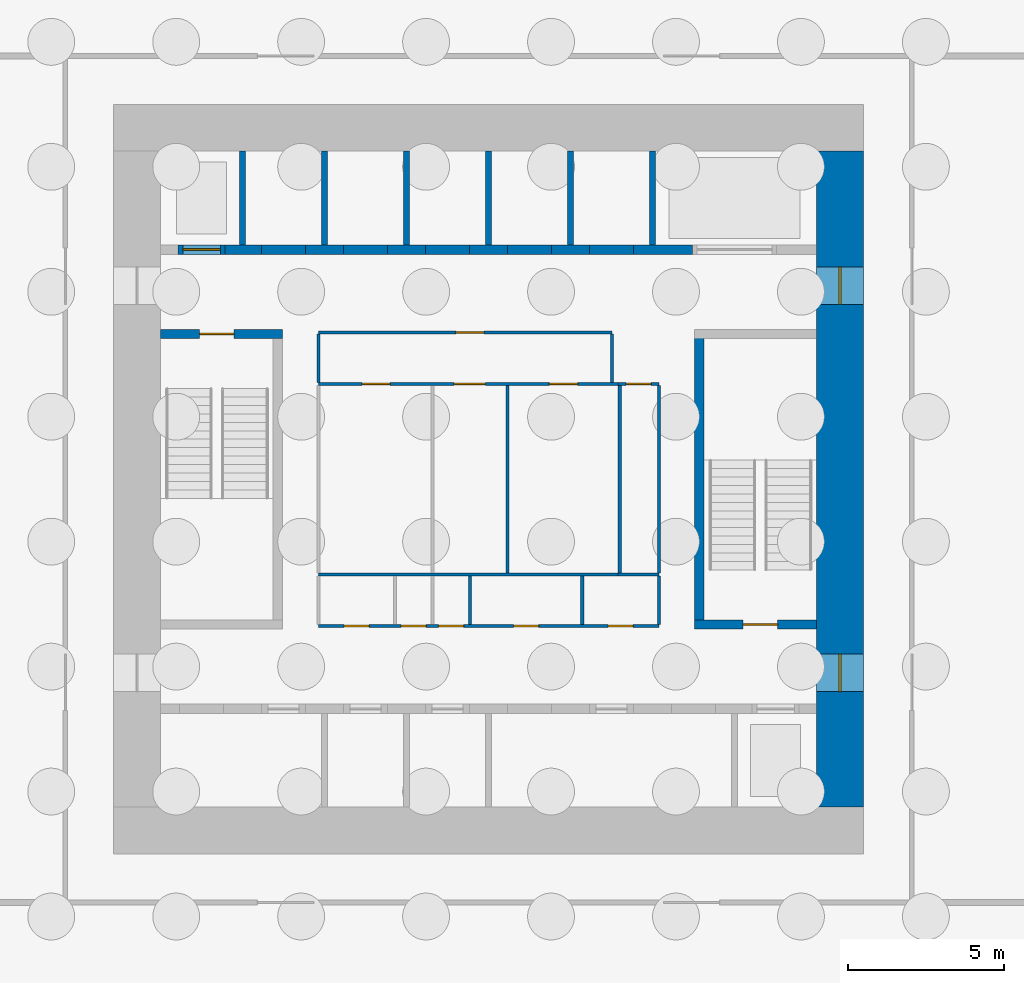
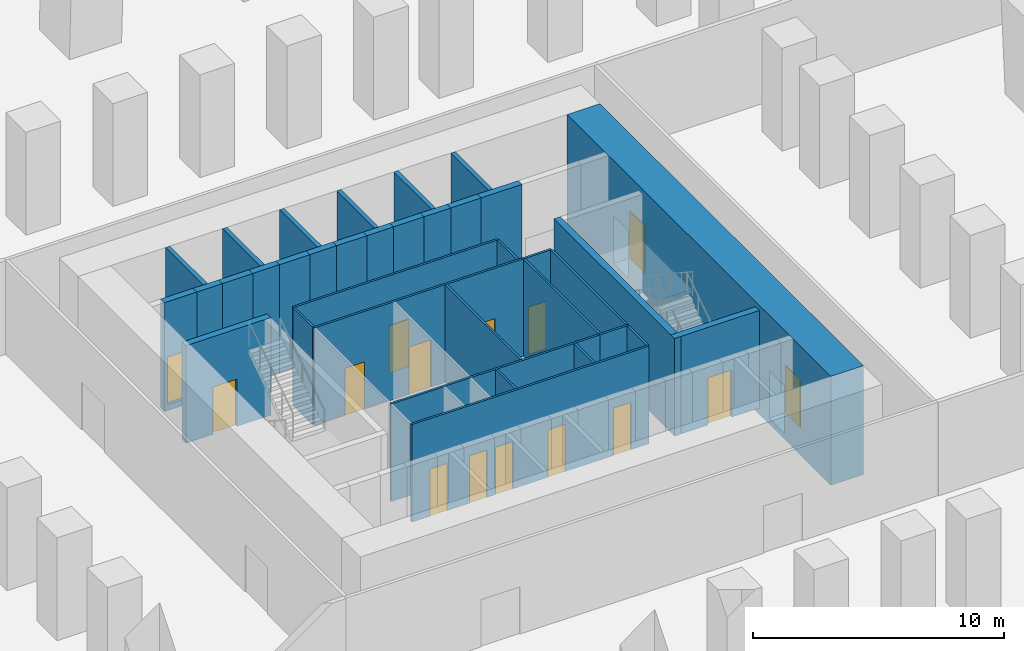
# One storey, part 5 of 8: 36 walls, 15 doors, 15 openings.
"""IFC4 building model written with IfcOpenShell, lengths in metres."""

from ifc_helpers import new_model, si_unit, direction, frame, frame_2d, origin, place, context, subcontext, project, spatial, rectangle, extrude, material, layer, layer_set, type_object, element, fill, save


model = new_model("IFC4")

# Units and contexts
model_context = context("Model", 3, precision=1e-05, world=origin(), true_north=direction((0.0, 1.0)))
body_context = subcontext(model_context, "Body", "Model", "MODEL_VIEW")
ifc_project = project(units=[si_unit("LENGTHUNIT", "METRE"), si_unit("AREAUNIT", "SQUARE_METRE"), si_unit("VOLUMEUNIT", "CUBIC_METRE"), si_unit("PLANEANGLEUNIT", "RADIAN"), si_unit("MASSUNIT", "GRAM", prefix="KILO")], contexts=[model_context])

# Site, building, storey
site_placement = place(None, origin())
site = spatial("IfcSite", under=ifc_project, at=site_placement, CompositionType="ELEMENT")
building_placement = place(site_placement, origin())
building = spatial("IfcBuilding", under=site, at=building_placement, Name="Peilmerk Tower", CompositionType="ELEMENT")
storey_placement = place(building_placement, frame((0.0, 0.0, -5.0)))
storey = spatial("IfcBuildingStorey", under=building, at=storey_placement, Name="B-01", CompositionType="ELEMENT", Elevation=-5.0)

# Wall, opening, door
ifc_material_1 = material(Name="Concrete C35/45", Category="concrete")
ifc_layer_1 = layer(ifc_material_1, 0.300048828125)
ifc_layer_set_1 = layer_set([ifc_layer_1], Name="Concrete C35/45")
wall_type_1 = type_object("IfcWallType", Name="IW3 300 concrete stair enclosure wall, EI 120", PredefinedType="SOLIDWALL", material=ifc_layer_set_1)
wall_1_placement = place(storey_placement, frame((-10.5, 4.64990234375, 0.0), z_axis=(0.0, 0.0, 1.0), x_axis=(1.0, 0.0, 0.0)))
wall_1 = element("IfcWall", 1, at=wall_1_placement, inside=storey, type_object=wall_type_1, Name="Stair 1 enclosure B-01", PredefinedType="SOLIDWALL", context=body_context, shape_type="SweptSolid", body=[
    extrude(rectangle(XDim=3.89990234375, YDim=0.300048828125, at=frame_2d((1.949951171875, 0.0))), origin(), (0.0, 0.0, 1.0), 4.75),
])
opening_1_placement = place(wall_1_placement, frame((1.25, 0.0, 0.0)))
opening_1 = element("IfcOpeningElement", 2, at=opening_1_placement, cuts=wall_1, Name="Opening D4", PredefinedType="OPENING", context=body_context, shape_type="SweptSolid", body=[
    extrude(rectangle(XDim=1.10009765625, YDim=2.300048828125, at=frame_2d((0.550048828125, 1.14990234375))), frame((0.0, 0.159912109375, 0.0), z_axis=(0.0, -1.0, 0.0), x_axis=(1.0, 0.0, 0.0)), (0.0, 0.0, 1.0), 0.320068359375),
])
ifc_material_2 = material(Name="Steel door in steel frame", Category="steel")
door_type_1 = type_object("IfcDoorType", Name="D4 1100x2300 stair door, EI2 60", OperationType="SINGLE_SWING_RIGHT", PredefinedType="DOOR", material=ifc_material_2)
door_1_placement = place(opening_1_placement, frame((1.10009765625, 0.0, 0.0), z_axis=(0.0, 0.0, 1.0), x_axis=(-1.0, 0.0, 0.0)))
door_1 = element("IfcDoor", 3, at=door_1_placement, inside=storey, type_object=door_type_1, Name="Stair 1 door B-01", OperationType="SINGLE_SWING_RIGHT", OverallHeight=2.300048828125, OverallWidth=1.10009765625, PredefinedType="DOOR", context=body_context, shape_type="SweptSolid", body=[
    extrude(rectangle(XDim=1.10009765625, YDim=2.300048828125, at=frame_2d((0.550048828125, 1.14990234375))), frame((0.0, 0.02490234375, 0.0), z_axis=(0.0, -1.0, 0.0), x_axis=(1.0, 0.0, 0.0)), (0.0, 0.0, 1.0), 0.050048828125),
])
fill(opening_1, door_1)

# Wall
wall_2_placement = place(storey_placement, frame((6.75, -4.800048828125, 0.0), z_axis=(0.0, 0.0, 1.0), x_axis=(0.0, 1.0, 0.0)))
element("IfcWall", 4, at=wall_2_placement, inside=storey, type_object=wall_type_1, Name="Stair 2 enclosure B-01", PredefinedType="SOLIDWALL", context=body_context, shape_type="SweptSolid", body=[
    extrude(rectangle(XDim=9.60009765625, YDim=0.300048828125, at=frame_2d((4.800048828125, 0.0))), origin(), (0.0, 0.0, 1.0), 4.75),
])

# Wall, opening, door
wall_3_placement = place(storey_placement, frame((10.5, -4.64990234375, 0.0), z_axis=(0.0, 0.0, 1.0), x_axis=(-1.0, 0.0, 0.0)))
wall_3 = element("IfcWall", 5, at=wall_3_placement, inside=storey, type_object=wall_type_1, Name="Stair 2 enclosure B-01", PredefinedType="SOLIDWALL", context=body_context, shape_type="SweptSolid", body=[
    extrude(rectangle(XDim=3.89990234375, YDim=0.300048828125, at=frame_2d((1.949951171875, 0.0))), origin(), (0.0, 0.0, 1.0), 4.75),
])
opening_2_placement = place(wall_3_placement, frame((1.25, 0.0, 0.0)))
opening_2 = element("IfcOpeningElement", 6, at=opening_2_placement, cuts=wall_3, Name="Opening D4", PredefinedType="OPENING", context=body_context, shape_type="SweptSolid", body=[
    extrude(rectangle(XDim=1.10009765625, YDim=2.300048828125, at=frame_2d((0.550048828125, 1.14990234375))), frame((0.0, 0.159912109375, 0.0), z_axis=(0.0, -1.0, 0.0), x_axis=(1.0, 0.0, 0.0)), (0.0, 0.0, 1.0), 0.320068359375),
])
door_2_placement = place(opening_2_placement, frame((1.10009765625, 0.0, 0.0), z_axis=(0.0, 0.0, 1.0), x_axis=(-1.0, 0.0, 0.0)))
door_2 = element("IfcDoor", 7, at=door_2_placement, inside=storey, type_object=door_type_1, Name="Stair 2 door B-01", OperationType="SINGLE_SWING_RIGHT", OverallHeight=2.300048828125, OverallWidth=1.10009765625, PredefinedType="DOOR", context=body_context, shape_type="SweptSolid", body=[
    extrude(rectangle(XDim=1.10009765625, YDim=2.300048828125, at=frame_2d((0.550048828125, 1.14990234375))), frame((0.0, 0.02490234375, 0.0), z_axis=(0.0, -1.0, 0.0), x_axis=(1.0, 0.0, 0.0)), (0.0, 0.0, 1.0), 0.050048828125),
])
fill(opening_2, door_2)

# Wall, openings, doors
ifc_material_3 = material(Name="Plasterboard on steel studs", Category="steel")
ifc_layer_2 = layer(ifc_material_3, 0.10009765625)
ifc_layer_set_2 = layer_set([ifc_layer_2], Name="Plasterboard on steel studs")
wall_type_2 = type_object("IfcWallType", Name="IW4 100 WC partition", PredefinedType="PARTITIONING", material=ifc_layer_set_2)
wall_4_placement = place(storey_placement, frame((-5.449951171875, 3.050048828125, 0.0), z_axis=(0.0, 0.0, 1.0), x_axis=(1.0, 0.0, 0.0)))
wall_4 = element("IfcWall", 8, at=wall_4_placement, inside=storey, type_object=wall_type_2, Name="WC wall B-01", PredefinedType="PARTITIONING", context=body_context, shape_type="SweptSolid", body=[
    extrude(rectangle(XDim=9.599853515625, YDim=0.10009765625, at=frame_2d((4.7998046875, 0.0))), origin(), (0.0, 0.0, 1.0), 4.75),
])
opening_3_placement = place(wall_4_placement, frame((1.39990234375, 0.0, 0.0)))
opening_3 = element("IfcOpeningElement", 9, at=opening_3_placement, cuts=wall_4, Name="Opening D5", PredefinedType="OPENING", context=body_context, shape_type="SweptSolid", body=[
    extrude(rectangle(XDim=0.89990234375, YDim=2.300048828125, at=frame_2d((0.449951171875, 1.14990234375))), frame((0.0, 0.06005859375, 0.0), z_axis=(0.0, -1.0, 0.0), x_axis=(1.0, 0.0, 0.0)), (0.0, 0.0, 1.0), 0.1201171875),
])
opening_4_placement = place(wall_4_placement, frame((4.35009765625, 0.0, 0.0)))
opening_4 = element("IfcOpeningElement", 10, at=opening_4_placement, cuts=wall_4, Name="Opening D6", PredefinedType="OPENING", context=body_context, shape_type="SweptSolid", body=[
    extrude(rectangle(XDim=1.0, YDim=2.300048828125, at=frame_2d((0.5, 1.14990234375))), frame((0.0, 0.06005859375, 0.0), z_axis=(0.0, -1.0, 0.0), x_axis=(1.0, 0.0, 0.0)), (0.0, 0.0, 1.0), 0.1201171875),
])
opening_5_placement = place(wall_4_placement, frame((7.39990234375, 0.0, 0.0)))
opening_5 = element("IfcOpeningElement", 11, at=opening_5_placement, cuts=wall_4, Name="Opening D5", PredefinedType="OPENING", context=body_context, shape_type="SweptSolid", body=[
    extrude(rectangle(XDim=0.89990234375, YDim=2.300048828125, at=frame_2d((0.449951171875, 1.14990234375))), frame((0.0, 0.06005859375, 0.0), z_axis=(0.0, -1.0, 0.0), x_axis=(1.0, 0.0, 0.0)), (0.0, 0.0, 1.0), 0.1201171875),
])
ifc_material_4 = material(Name="Timber door in steel frame", Category="steel")
door_type_2 = type_object("IfcDoorType", Name="D5 900x2300 WC door", OperationType="SINGLE_SWING_LEFT", PredefinedType="DOOR", material=ifc_material_4)
door_3_placement = place(opening_3_placement, frame((0.89990234375, 0.0, 0.0), z_axis=(0.0, 0.0, 1.0), x_axis=(-1.0, 0.0, 0.0)))
door_3 = element("IfcDoor", 12, at=door_3_placement, inside=storey, type_object=door_type_2, Name="Female toilets door B-01", OperationType="SINGLE_SWING_LEFT", OverallHeight=2.300048828125, OverallWidth=0.89990234375, PredefinedType="DOOR", context=body_context, shape_type="SweptSolid", body=[
    extrude(rectangle(XDim=0.89990234375, YDim=2.300048828125, at=frame_2d((0.449951171875, 1.14990234375))), frame((0.0, 0.02490234375, 0.0), z_axis=(0.0, -1.0, 0.0), x_axis=(1.0, 0.0, 0.0)), (0.0, 0.0, 1.0), 0.050048828125),
])
fill(opening_3, door_3)
door_4_placement = place(opening_5_placement, frame((0.89990234375, 0.0, 0.0), z_axis=(0.0, 0.0, 1.0), x_axis=(-1.0, 0.0, 0.0)))
door_4 = element("IfcDoor", 13, at=door_4_placement, inside=storey, type_object=door_type_2, Name="Male toilets door B-01", OperationType="SINGLE_SWING_LEFT", OverallHeight=2.300048828125, OverallWidth=0.89990234375, PredefinedType="DOOR", context=body_context, shape_type="SweptSolid", body=[
    extrude(rectangle(XDim=0.89990234375, YDim=2.300048828125, at=frame_2d((0.449951171875, 1.14990234375))), frame((0.0, 0.02490234375, 0.0), z_axis=(0.0, -1.0, 0.0), x_axis=(1.0, 0.0, 0.0)), (0.0, 0.0, 1.0), 0.050048828125),
])
fill(opening_5, door_4)
door_type_3 = type_object("IfcDoorType", Name="D6 1000x2300 accessible WC door", OperationType="SLIDING_TO_LEFT", PredefinedType="DOOR", material=ifc_material_4)
door_5_placement = place(opening_4_placement, frame((1.0, 0.0, 0.0), z_axis=(0.0, 0.0, 1.0), x_axis=(-1.0, 0.0, 0.0)))
door_5 = element("IfcDoor", 14, at=door_5_placement, inside=storey, type_object=door_type_3, Name="Accessible WC door B-01", OperationType="SLIDING_TO_LEFT", OverallHeight=2.300048828125, OverallWidth=1.0, PredefinedType="DOOR", context=body_context, shape_type="SweptSolid", body=[
    extrude(rectangle(XDim=1.0, YDim=2.300048828125, at=frame_2d((0.5, 1.14990234375))), frame((0.0, 0.02490234375, 0.0), z_axis=(0.0, -1.0, 0.0), x_axis=(1.0, 0.0, 0.0)), (0.0, 0.0, 1.0), 0.050048828125),
])
fill(opening_4, door_5)

# Walls
wall_5_placement = place(storey_placement, frame((4.14990234375, -3.050048828125, 0.0), z_axis=(0.0, 0.0, 1.0), x_axis=(-1.0, 0.0, 0.0)))
element("IfcWall", 15, at=wall_5_placement, inside=storey, type_object=wall_type_2, Name="WC wall B-01", PredefinedType="PARTITIONING", context=body_context, shape_type="SweptSolid", body=[
    extrude(rectangle(XDim=9.599853515625, YDim=0.10009765625, at=frame_2d((4.7998046875, 0.0))), origin(), (0.0, 0.0, 1.0), 4.75),
])
wall_6_placement = place(storey_placement, frame((0.60009765625, -3.0, 0.0), z_axis=(0.0, 0.0, 1.0), x_axis=(0.0, 1.0, 0.0)))
element("IfcWall", 16, at=wall_6_placement, inside=storey, type_object=wall_type_2, Name="WC wall B-01", PredefinedType="PARTITIONING", context=body_context, shape_type="SweptSolid", body=[
    extrude(rectangle(XDim=6.0, YDim=0.10009765625, at=frame_2d((3.0, 0.0))), origin(), (0.0, 0.0, 1.0), 4.75),
])

# Wall, opening, door
ifc_material_5 = material(Name="Calcium silicate board on steel studs", Category="steel")
ifc_layer_3 = layer(ifc_material_5, 0.10009765625)
ifc_layer_set_3 = layer_set([ifc_layer_3], Name="Calcium silicate board on steel studs")
wall_type_3 = type_object("IfcWallType", Name="IW5 100 riser enclosure wall, EI 60", PredefinedType="PARTITIONING", material=ifc_layer_set_3)
wall_7_placement = place(storey_placement, frame((4.14990234375, 3.050048828125, 0.0), z_axis=(0.0, 0.0, 1.0), x_axis=(1.0, 0.0, 0.0)))
wall_7 = element("IfcWall", 17, at=wall_7_placement, inside=storey, type_object=wall_type_3, Name="Riser wall B-01", PredefinedType="PARTITIONING", context=body_context, shape_type="SweptSolid", body=[
    extrude(rectangle(XDim=1.300048828125, YDim=0.10009765625, at=frame_2d((0.64990234375, 0.0))), origin(), (0.0, 0.0, 1.0), 4.75),
])
opening_6_placement = place(wall_7_placement, frame((0.25, 0.0, 0.0)))
opening_6 = element("IfcOpeningElement", 18, at=opening_6_placement, cuts=wall_7, Name="Opening D7", PredefinedType="OPENING", context=body_context, shape_type="SweptSolid", body=[
    extrude(rectangle(XDim=0.800048828125, YDim=2.300048828125, at=frame_2d((0.39990234375, 1.14990234375))), frame((0.0, 0.06005859375, 0.0), z_axis=(0.0, -1.0, 0.0), x_axis=(1.0, 0.0, 0.0)), (0.0, 0.0, 1.0), 0.1201171875),
])
door_type_4 = type_object("IfcDoorType", Name="D7 800x2300 riser access door, EI2 60", OperationType="SINGLE_SWING_RIGHT", PredefinedType="DOOR", material=ifc_material_2)
door_6_placement = place(opening_6_placement, frame((0.800048828125, 0.0, 0.0), z_axis=(0.0, 0.0, 1.0), x_axis=(-1.0, 0.0, 0.0)))
door_6 = element("IfcDoor", 19, at=door_6_placement, inside=storey, type_object=door_type_4, Name="Plumbing riser door B-01", OperationType="SINGLE_SWING_RIGHT", OverallHeight=2.300048828125, OverallWidth=0.800048828125, PredefinedType="DOOR", context=body_context, shape_type="SweptSolid", body=[
    extrude(rectangle(XDim=0.800048828125, YDim=2.300048828125, at=frame_2d((0.39990234375, 1.14990234375))), frame((0.0, 0.02490234375, 0.0), z_axis=(0.0, -1.0, 0.0), x_axis=(1.0, 0.0, 0.0)), (0.0, 0.0, 1.0), 0.050048828125),
])
fill(opening_6, door_6)

# Walls
wall_8_placement = place(storey_placement, frame((5.449951171875, -3.050048828125, 0.0), z_axis=(0.0, 0.0, 1.0), x_axis=(-1.0, 0.0, 0.0)))
element("IfcWall", 20, at=wall_8_placement, inside=storey, type_object=wall_type_3, Name="Riser wall B-01", PredefinedType="PARTITIONING", context=body_context, shape_type="SweptSolid", body=[
    extrude(rectangle(XDim=1.300048828125, YDim=0.10009765625, at=frame_2d((0.64990234375, 0.0))), origin(), (0.0, 0.0, 1.0), 4.75),
])
for number, where, z_axis, x_axis, name in (
    (21, (5.449951171875, 3.0, 0.0), (0.0, 0.0, 1.0), (0.0, -1.0, 0.0), "Riser wall B-01"),
    (22, (4.199951171875, -3.0, 0.0), (0.0, 0.0, 1.0), (0.0, 1.0, 0.0), "Riser wall B-01"),
):
    element("IfcWall", number, at=place(storey_placement, frame(where, z_axis=z_axis, x_axis=x_axis)), inside=storey, type_object=wall_type_3, Name=name, PredefinedType="PARTITIONING", context=body_context, shape_type="SweptSolid", body=[
        extrude(rectangle(XDim=6.0, YDim=0.10009765625, at=frame_2d((3.0, 0.0))), origin(), (0.0, 0.0, 1.0), 4.75),
    ])

# Wall, openings, doors
wall_9_placement = place(storey_placement, frame((5.449951171875, -4.699951171875, 0.0), z_axis=(0.0, 0.0, 1.0), x_axis=(-1.0, 0.0, 0.0)))
wall_9 = element("IfcWall", 23, at=wall_9_placement, inside=storey, type_object=wall_type_3, Name="Riser wall B-01", PredefinedType="PARTITIONING", context=body_context, shape_type="SweptSolid", body=[
    extrude(rectangle(XDim=10.89990234375, YDim=0.10009765625, at=frame_2d((5.449951171875, 0.0))), origin(), (0.0, 0.0, 1.0), 4.75),
])
opening_7_placement = place(wall_9_placement, frame((9.27490234375, 0.0, 0.0)))
opening_7 = element("IfcOpeningElement", 24, at=opening_7_placement, cuts=wall_9, Name="Opening D7", PredefinedType="OPENING", context=body_context, shape_type="SweptSolid", body=[
    extrude(rectangle(XDim=0.800048828125, YDim=2.300048828125, at=frame_2d((0.39990234375, 1.14990234375))), frame((0.0, 0.06005859375, 0.0), z_axis=(0.0, -1.0, 0.0), x_axis=(1.0, 0.0, 0.0)), (0.0, 0.0, 1.0), 0.1201171875),
])
opening_8_placement = place(wall_9_placement, frame((7.449951171875, 0.0, 0.0)))
opening_8 = element("IfcOpeningElement", 25, at=opening_8_placement, cuts=wall_9, Name="Opening D7", PredefinedType="OPENING", context=body_context, shape_type="SweptSolid", body=[
    extrude(rectangle(XDim=0.800048828125, YDim=2.300048828125, at=frame_2d((0.39990234375, 1.14990234375))), frame((0.0, 0.06005859375, 0.0), z_axis=(0.0, -1.0, 0.0), x_axis=(1.0, 0.0, 0.0)), (0.0, 0.0, 1.0), 0.1201171875),
])
opening_9_placement = place(wall_9_placement, frame((6.25, 0.0, 0.0)))
opening_9 = element("IfcOpeningElement", 26, at=opening_9_placement, cuts=wall_9, Name="Opening D7", PredefinedType="OPENING", context=body_context, shape_type="SweptSolid", body=[
    extrude(rectangle(XDim=0.800048828125, YDim=2.300048828125, at=frame_2d((0.39990234375, 1.14990234375))), frame((0.0, 0.06005859375, 0.0), z_axis=(0.0, -1.0, 0.0), x_axis=(1.0, 0.0, 0.0)), (0.0, 0.0, 1.0), 0.1201171875),
])
opening_10_placement = place(wall_9_placement, frame((3.85009765625, 0.0, 0.0)))
opening_10 = element("IfcOpeningElement", 27, at=opening_10_placement, cuts=wall_9, Name="Opening D7", PredefinedType="OPENING", context=body_context, shape_type="SweptSolid", body=[
    extrude(rectangle(XDim=0.800048828125, YDim=2.300048828125, at=frame_2d((0.39990234375, 1.14990234375))), frame((0.0, 0.06005859375, 0.0), z_axis=(0.0, -1.0, 0.0), x_axis=(1.0, 0.0, 0.0)), (0.0, 0.0, 1.0), 0.1201171875),
])
opening_11_placement = place(wall_9_placement, frame((0.824951171875, 0.0, 0.0)))
opening_11 = element("IfcOpeningElement", 28, at=opening_11_placement, cuts=wall_9, Name="Opening D7", PredefinedType="OPENING", context=body_context, shape_type="SweptSolid", body=[
    extrude(rectangle(XDim=0.800048828125, YDim=2.300048828125, at=frame_2d((0.39990234375, 1.14990234375))), frame((0.0, 0.06005859375, 0.0), z_axis=(0.0, -1.0, 0.0), x_axis=(1.0, 0.0, 0.0)), (0.0, 0.0, 1.0), 0.1201171875),
])
door_7_placement = place(opening_7_placement, frame((0.800048828125, 0.0, 0.0), z_axis=(0.0, 0.0, 1.0), x_axis=(-1.0, 0.0, 0.0)))
door_7 = element("IfcDoor", 29, at=door_7_placement, inside=storey, type_object=door_type_4, Name="Cleaner's cupboard door B-01", OperationType="SINGLE_SWING_RIGHT", OverallHeight=2.300048828125, OverallWidth=0.800048828125, PredefinedType="DOOR", context=body_context, shape_type="SweptSolid", body=[
    extrude(rectangle(XDim=0.800048828125, YDim=2.300048828125, at=frame_2d((0.39990234375, 1.14990234375))), frame((0.0, 0.02490234375, 0.0), z_axis=(0.0, -1.0, 0.0), x_axis=(1.0, 0.0, 0.0)), (0.0, 0.0, 1.0), 0.050048828125),
])
fill(opening_7, door_7)
door_8_placement = place(opening_8_placement, frame((0.800048828125, 0.0, 0.0), z_axis=(0.0, 0.0, 1.0), x_axis=(-1.0, 0.0, 0.0)))
door_8 = element("IfcDoor", 30, at=door_8_placement, inside=storey, type_object=door_type_4, Name="Electrical riser door B-01", OperationType="SINGLE_SWING_RIGHT", OverallHeight=2.300048828125, OverallWidth=0.800048828125, PredefinedType="DOOR", context=body_context, shape_type="SweptSolid", body=[
    extrude(rectangle(XDim=0.800048828125, YDim=2.300048828125, at=frame_2d((0.39990234375, 1.14990234375))), frame((0.0, 0.02490234375, 0.0), z_axis=(0.0, -1.0, 0.0), x_axis=(1.0, 0.0, 0.0)), (0.0, 0.0, 1.0), 0.050048828125),
])
fill(opening_8, door_8)
door_9_placement = place(opening_9_placement, frame((0.800048828125, 0.0, 0.0), z_axis=(0.0, 0.0, 1.0), x_axis=(-1.0, 0.0, 0.0)))
door_9 = element("IfcDoor", 31, at=door_9_placement, inside=storey, type_object=door_type_4, Name="Data riser door B-01", OperationType="SINGLE_SWING_RIGHT", OverallHeight=2.300048828125, OverallWidth=0.800048828125, PredefinedType="DOOR", context=body_context, shape_type="SweptSolid", body=[
    extrude(rectangle(XDim=0.800048828125, YDim=2.300048828125, at=frame_2d((0.39990234375, 1.14990234375))), frame((0.0, 0.02490234375, 0.0), z_axis=(0.0, -1.0, 0.0), x_axis=(1.0, 0.0, 0.0)), (0.0, 0.0, 1.0), 0.050048828125),
])
fill(opening_9, door_9)
door_10_placement = place(opening_10_placement, frame((0.800048828125, 0.0, 0.0), z_axis=(0.0, 0.0, 1.0), x_axis=(-1.0, 0.0, 0.0)))
door_10 = element("IfcDoor", 32, at=door_10_placement, inside=storey, type_object=door_type_4, Name="Comms room door B-01", OperationType="SINGLE_SWING_RIGHT", OverallHeight=2.300048828125, OverallWidth=0.800048828125, PredefinedType="DOOR", context=body_context, shape_type="SweptSolid", body=[
    extrude(rectangle(XDim=0.800048828125, YDim=2.300048828125, at=frame_2d((0.39990234375, 1.14990234375))), frame((0.0, 0.02490234375, 0.0), z_axis=(0.0, -1.0, 0.0), x_axis=(1.0, 0.0, 0.0)), (0.0, 0.0, 1.0), 0.050048828125),
])
fill(opening_10, door_10)
door_11_placement = place(opening_11_placement, frame((0.800048828125, 0.0, 0.0), z_axis=(0.0, 0.0, 1.0), x_axis=(-1.0, 0.0, 0.0)))
door_11 = element("IfcDoor", 33, at=door_11_placement, inside=storey, type_object=door_type_4, Name="Water meter room door B-01", OperationType="SINGLE_SWING_RIGHT", OverallHeight=2.300048828125, OverallWidth=0.800048828125, PredefinedType="DOOR", context=body_context, shape_type="SweptSolid", body=[
    extrude(rectangle(XDim=0.800048828125, YDim=2.300048828125, at=frame_2d((0.39990234375, 1.14990234375))), frame((0.0, 0.02490234375, 0.0), z_axis=(0.0, -1.0, 0.0), x_axis=(1.0, 0.0, 0.0)), (0.0, 0.0, 1.0), 0.050048828125),
])
fill(opening_11, door_11)

# Walls
for number, where, z_axis, x_axis, name in (
    (34, (5.449951171875, -3.10009765625, 0.0), (0.0, 0.0, 1.0), (0.0, -1.0, 0.0), "Riser wall B-01"),
    (35, (-0.60009765625, -3.10009765625, 0.0), (0.0, 0.0, 1.0), (0.0, -1.0, 0.0), "Riser wall B-01"),
    (36, (3.0, -3.10009765625, 0.0), (0.0, 0.0, 1.0), (0.0, -1.0, 0.0), "Riser wall B-01"),
):
    element("IfcWall", number, at=place(storey_placement, frame(where, z_axis=z_axis, x_axis=x_axis)), inside=storey, type_object=wall_type_3, Name=name, PredefinedType="PARTITIONING", context=body_context, shape_type="SweptSolid", body=[
        extrude(rectangle(XDim=1.5498046875, YDim=0.10009765625, at=frame_2d((0.77490234375, 0.0))), origin(), (0.0, 0.0, 1.0), 4.75),
    ])

# Wall, opening, door
ifc_material_6 = material(Name="Fire-resisting plasterboard on steel studs", Category="steel")
ifc_layer_4 = layer(ifc_material_6, 0.10009765625)
ifc_layer_set_4 = layer_set([ifc_layer_4], Name="Fire-resisting plasterboard on steel studs")
wall_type_4 = type_object("IfcWallType", Name="IW9 100 WC lobby wall, EI 30", PredefinedType="PARTITIONING", material=ifc_layer_set_4)
wall_10_placement = place(storey_placement, frame((-5.449951171875, 4.699951171875, 0.0), z_axis=(0.0, 0.0, 1.0), x_axis=(1.0, 0.0, 0.0)))
wall_10 = element("IfcWall", 37, at=wall_10_placement, inside=storey, type_object=wall_type_4, Name="WC lobby wall B-01", PredefinedType="PARTITIONING", context=body_context, shape_type="SweptSolid", body=[
    extrude(rectangle(XDim=9.39990234375, YDim=0.10009765625, at=frame_2d((4.699951171875, 0.0))), origin(), (0.0, 0.0, 1.0), 4.75),
])
opening_12_placement = place(wall_10_placement, frame((4.39990234375, 0.0, 0.0)))
opening_12 = element("IfcOpeningElement", 38, at=opening_12_placement, cuts=wall_10, Name="Opening D11", PredefinedType="OPENING", context=body_context, shape_type="SweptSolid", body=[
    extrude(rectangle(XDim=0.89990234375, YDim=2.300048828125, at=frame_2d((0.449951171875, 1.14990234375))), frame((0.0, 0.06005859375, 0.0), z_axis=(0.0, -1.0, 0.0), x_axis=(1.0, 0.0, 0.0)), (0.0, 0.0, 1.0), 0.1201171875),
])
door_type_5 = type_object("IfcDoorType", Name="D11 900x2300 WC lobby door, EI2 30", OperationType="SINGLE_SWING_LEFT", PredefinedType="DOOR", material=ifc_material_4)
door_12_placement = place(opening_12_placement, frame((0.89990234375, 0.0, 0.0), z_axis=(0.0, 0.0, 1.0), x_axis=(-1.0, 0.0, 0.0)))
door_12 = element("IfcDoor", 39, at=door_12_placement, inside=storey, type_object=door_type_5, Name="WC lobby door B-01", OperationType="SINGLE_SWING_LEFT", OverallHeight=2.300048828125, OverallWidth=0.89990234375, PredefinedType="DOOR", context=body_context, shape_type="SweptSolid", body=[
    extrude(rectangle(XDim=0.89990234375, YDim=2.300048828125, at=frame_2d((0.449951171875, 1.14990234375))), frame((0.0, 0.02490234375, 0.0), z_axis=(0.0, -1.0, 0.0), x_axis=(1.0, 0.0, 0.0)), (0.0, 0.0, 1.0), 0.050048828125),
])
fill(opening_12, door_12)

# Walls
for number, where, z_axis, x_axis, name in (
    (40, (-5.449951171875, 3.10009765625, 0.0), (0.0, 0.0, 1.0), (0.0, 1.0, 0.0), "WC lobby wall B-01"),
    (41, (3.949951171875, 3.10009765625, 0.0), (0.0, 0.0, 1.0), (0.0, 1.0, 0.0), "WC lobby wall B-01"),
):
    element("IfcWall", number, at=place(storey_placement, frame(where, z_axis=z_axis, x_axis=x_axis)), inside=storey, type_object=wall_type_4, Name=name, PredefinedType="PARTITIONING", context=body_context, shape_type="SweptSolid", body=[
        extrude(rectangle(XDim=1.5498046875, YDim=0.10009765625, at=frame_2d((0.77490234375, 0.0))), origin(), (0.0, 0.0, 1.0), 4.75),
    ])
ifc_material_7 = material(Name="Calcium silicate block", Category="masonry")
ifc_layer_5 = layer(ifc_material_7, 0.199951171875)
ifc_layer_set_5 = layer_set([ifc_layer_5], Name="Calcium silicate block")
wall_type_5 = type_object("IfcWallType", Name="SH1 200 shaft dividing wall, EI 120", PredefinedType="PARTITIONING", material=ifc_layer_set_5)
for number, where, z_axis, x_axis, name in (
    (42, (-7.875, 7.5, -0.300048828125), (0.0, 0.0, 1.0), (0.0, 1.0, 0.0), "Shaft wall N FL1 B-01"),
    (43, (-5.25, 7.5, -0.300048828125), (0.0, 0.0, 1.0), (0.0, 1.0, 0.0), "Shaft wall N A1 B-01"),
    (44, (-2.625, 7.5, -0.300048828125), (0.0, 0.0, 1.0), (0.0, 1.0, 0.0), "Shaft wall N A2 B-01"),
    (45, (0.0, 7.5, -0.300048828125), (0.0, 0.0, 1.0), (0.0, 1.0, 0.0), "Shaft wall N A3 B-01"),
    (46, (2.625, 7.5, -0.300048828125), (0.0, 0.0, 1.0), (0.0, 1.0, 0.0), "Shaft wall N S1 B-01"),
    (47, (5.25, 7.5, -0.300048828125), (0.0, 0.0, 1.0), (0.0, 1.0, 0.0), "Shaft wall N S2 B-01"),
):
    element("IfcWall", number, at=place(storey_placement, frame(where, z_axis=z_axis, x_axis=x_axis)), inside=storey, type_object=wall_type_5, Name=name, PredefinedType="PARTITIONING", context=body_context, shape_type="SweptSolid", body=[
        extrude(rectangle(XDim=3.0, YDim=0.199951171875, at=frame_2d((1.5, 0.0))), origin(), (0.0, 0.0, 1.0), 5.300048828125),
    ])

# Wall, opening, door
ifc_layer_6 = layer(ifc_material_7, 0.300048828125)
ifc_layer_set_6 = layer_set([ifc_layer_6], Name="Calcium silicate block")
wall_type_6 = type_object("IfcWallType", Name="SH2 300 lift landing door panel, EI 120", PredefinedType="PARTITIONING", material=ifc_layer_set_6)
wall_11_placement = place(storey_placement, frame((-9.9375, 7.35009765625, -0.300048828125), z_axis=(0.0, 0.0, 1.0), x_axis=(1.0, 0.0, 0.0)))
wall_11 = element("IfcWall", 48, at=wall_11_placement, inside=storey, type_object=wall_type_6, Name="Lift door panel N FL1 B-01", PredefinedType="PARTITIONING", context=body_context, shape_type="SweptSolid", body=[
    extrude(rectangle(XDim=1.5, YDim=0.300048828125, at=frame_2d((0.75, 0.0))), origin(), (0.0, 0.0, 1.0), 5.300048828125),
])
opening_13_placement = place(wall_11_placement, frame((0.14990234375, 0.0, 0.300048828125)))
opening_13 = element("IfcOpeningElement", 49, at=opening_13_placement, cuts=wall_11, Name="Opening LD2", PredefinedType="OPENING", context=body_context, shape_type="SweptSolid", body=[
    extrude(rectangle(XDim=1.199951171875, YDim=2.300048828125, at=frame_2d((0.60009765625, 1.14990234375))), frame((0.0, 0.159912109375, 0.0), z_axis=(0.0, -1.0, 0.0), x_axis=(1.0, 0.0, 0.0)), (0.0, 0.0, 1.0), 0.320068359375),
])
ifc_material_8 = material(Name="Stainless steel landing door", Category="steel")
door_type_6 = type_object("IfcDoorType", Name="LD2 1200x2300 lift landing door, sliding, EI2 60", OperationType="SLIDING_TO_LEFT", PredefinedType="DOOR", material=ifc_material_8)
door_13_placement = place(opening_13_placement, frame((1.199951171875, 0.0, 0.0), z_axis=(0.0, 0.0, 1.0), x_axis=(-1.0, 0.0, 0.0)))
door_13 = element("IfcDoor", 50, at=door_13_placement, inside=storey, type_object=door_type_6, Name="Lift landing door FL1 B-01", OperationType="SLIDING_TO_LEFT", OverallHeight=2.300048828125, OverallWidth=1.199951171875, PredefinedType="DOOR", context=body_context, shape_type="SweptSolid", body=[
    extrude(rectangle(XDim=1.199951171875, YDim=2.300048828125, at=frame_2d((0.60009765625, 1.14990234375))), frame((0.0, 0.02490234375, 0.0), z_axis=(0.0, -1.0, 0.0), x_axis=(1.0, 0.0, 0.0)), (0.0, 0.0, 1.0), 0.050048828125),
])
fill(opening_13, door_13)

# Walls
for number, where, z_axis, x_axis, name in (
    (51, (-7.262451171875, 7.35009765625, -0.300048828125), (0.0, 0.0, 1.0), (1.0, 0.0, 0.0), "Lift door panel N A1 B-01"),
    (52, (-4.637451171875, 7.35009765625, -0.300048828125), (0.0, 0.0, 1.0), (1.0, 0.0, 0.0), "Lift door panel N A2 B-01"),
    (53, (-2.012451171875, 7.35009765625, -0.300048828125), (0.0, 0.0, 1.0), (1.0, 0.0, 0.0), "Lift door panel N A3 B-01"),
    (54, (0.612548828125, 7.35009765625, -0.300048828125), (0.0, 0.0, 1.0), (1.0, 0.0, 0.0), "Lift door panel N S1 B-01"),
    (55, (3.237548828125, 7.35009765625, -0.300048828125), (0.0, 0.0, 1.0), (1.0, 0.0, 0.0), "Lift door panel N S2 B-01"),
):
    element("IfcWall", number, at=place(storey_placement, frame(where, z_axis=z_axis, x_axis=x_axis)), inside=storey, type_object=wall_type_6, Name=name, PredefinedType="PARTITIONING", context=body_context, shape_type="SweptSolid", body=[
        extrude(rectangle(XDim=1.39990234375, YDim=0.300048828125, at=frame_2d((0.699951171875, 0.0))), origin(), (0.0, 0.0, 1.0), 5.300048828125),
    ])

# Wall, openings, doors
ifc_material_9 = material(Name="Concrete C55/67", Category="concrete")
ifc_layer_7 = layer(ifc_material_9, 1.5)
ifc_layer_set_7 = layer_set([ifc_layer_7], Name="Concrete C55/67")
wall_type_7 = type_object("IfcWallType", Name="SW1 1500 core wall", PredefinedType="SHEAR", material=ifc_layer_set_7)
wall_12_placement = place(storey_placement, frame((11.25, 10.5, -0.300048828125), z_axis=(0.0, 0.0, 1.0), x_axis=(0.0, -1.0, 0.0)))
wall_12 = element("IfcWall", 56, at=wall_12_placement, inside=storey, type_object=wall_type_7, Name="Core wall E B-01", PredefinedType="SHEAR", context=body_context, shape_type="SweptSolid", body=[
    extrude(rectangle(XDim=21.0, YDim=1.5, at=frame_2d((10.5, 0.0))), origin(), (0.0, 0.0, 1.0), 5.300048828125),
])
opening_14_placement = place(wall_12_placement, frame((3.699951171875, 0.0, 0.300048828125)))
opening_14 = element("IfcOpeningElement", 57, at=opening_14_placement, cuts=wall_12, Name="Opening D3", PredefinedType="OPENING", context=body_context, shape_type="SweptSolid", body=[
    extrude(rectangle(XDim=1.199951171875, YDim=2.300048828125, at=frame_2d((0.60009765625, 1.14990234375))), frame((0.0, 0.760009765625, 0.0), z_axis=(0.0, -1.0, 0.0), x_axis=(1.0, 0.0, 0.0)), (0.0, 0.0, 1.0), 1.52001953125),
])
opening_15_placement = place(wall_12_placement, frame((16.10009765625, 0.0, 0.300048828125)))
opening_15 = element("IfcOpeningElement", 58, at=opening_15_placement, cuts=wall_12, Name="Opening D3", PredefinedType="OPENING", context=body_context, shape_type="SweptSolid", body=[
    extrude(rectangle(XDim=1.199951171875, YDim=2.300048828125, at=frame_2d((0.60009765625, 1.14990234375))), frame((0.0, 0.760009765625, 0.0), z_axis=(0.0, -1.0, 0.0), x_axis=(1.0, 0.0, 0.0)), (0.0, 0.0, 1.0), 1.52001953125),
])
door_type_7 = type_object("IfcDoorType", Name="D3 1200x2300 core door, EI2 60", OperationType="SINGLE_SWING_LEFT", PredefinedType="DOOR", material=ifc_material_2)
door_14_placement = place(opening_14_placement, frame((1.199951171875, 0.0, 0.0), z_axis=(0.0, 0.0, 1.0), x_axis=(-1.0, 0.0, 0.0)))
door_14 = element("IfcDoor", 59, at=door_14_placement, inside=storey, type_object=door_type_7, Name="Core door B-01", OperationType="SINGLE_SWING_LEFT", OverallHeight=2.300048828125, OverallWidth=1.199951171875, PredefinedType="DOOR", context=body_context, shape_type="SweptSolid", body=[
    extrude(rectangle(XDim=1.199951171875, YDim=2.300048828125, at=frame_2d((0.60009765625, 1.14990234375))), frame((0.0, 0.02490234375, 0.0), z_axis=(0.0, -1.0, 0.0), x_axis=(1.0, 0.0, 0.0)), (0.0, 0.0, 1.0), 0.050048828125),
])
fill(opening_14, door_14)
door_15_placement = place(opening_15_placement, frame((1.199951171875, 0.0, 0.0), z_axis=(0.0, 0.0, 1.0), x_axis=(-1.0, 0.0, 0.0)))
door_15 = element("IfcDoor", 60, at=door_15_placement, inside=storey, type_object=door_type_7, Name="Core door B-01", OperationType="SINGLE_SWING_LEFT", OverallHeight=2.300048828125, OverallWidth=1.199951171875, PredefinedType="DOOR", context=body_context, shape_type="SweptSolid", body=[
    extrude(rectangle(XDim=1.199951171875, YDim=2.300048828125, at=frame_2d((0.60009765625, 1.14990234375))), frame((0.0, 0.02490234375, 0.0), z_axis=(0.0, -1.0, 0.0), x_axis=(1.0, 0.0, 0.0)), (0.0, 0.0, 1.0), 0.050048828125),
])
fill(opening_15, door_15)

# Walls
ifc_layer_8 = layer(ifc_material_9, 0.300048828125)
ifc_layer_set_8 = layer_set([ifc_layer_8], Name="Concrete C55/67")
wall_type_8 = type_object("IfcWallType", Name="SW2 300 lift bank pier", PredefinedType="SHEAR", material=ifc_layer_set_8)
wall_13_placement = place(storey_placement, frame((-8.4375, 7.35009765625, -0.300048828125), z_axis=(0.0, 0.0, 1.0), x_axis=(1.0, 0.0, 0.0)))
element("IfcWall", 61, at=wall_13_placement, inside=storey, type_object=wall_type_8, Name="Lift bank pier N B-01", PredefinedType="SHEAR", context=body_context, shape_type="SweptSolid", body=[
    extrude(rectangle(XDim=1.175048828125, YDim=0.300048828125, at=frame_2d((0.58740234375, 0.0))), origin(), (0.0, 0.0, 1.0), 5.300048828125),
])
for number, where, z_axis, x_axis, name in (
    (62, (-5.862548828125, 7.35009765625, -0.300048828125), (0.0, 0.0, 1.0), (1.0, 0.0, 0.0), "Lift bank pier N B-01"),
    (63, (-3.237548828125, 7.35009765625, -0.300048828125), (0.0, 0.0, 1.0), (1.0, 0.0, 0.0), "Lift bank pier N B-01"),
    (64, (-0.612548828125, 7.35009765625, -0.300048828125), (0.0, 0.0, 1.0), (1.0, 0.0, 0.0), "Lift bank pier N B-01"),
    (65, (2.012451171875, 7.35009765625, -0.300048828125), (0.0, 0.0, 1.0), (1.0, 0.0, 0.0), "Lift bank pier N B-01"),
):
    element("IfcWall", number, at=place(storey_placement, frame(where, z_axis=z_axis, x_axis=x_axis)), inside=storey, type_object=wall_type_8, Name=name, PredefinedType="SHEAR", context=body_context, shape_type="SweptSolid", body=[
        extrude(rectangle(XDim=1.22509765625, YDim=0.300048828125, at=frame_2d((0.612548828125, 0.0))), origin(), (0.0, 0.0, 1.0), 5.300048828125),
    ])
wall_14_placement = place(storey_placement, frame((4.637451171875, 7.35009765625, -0.300048828125), z_axis=(0.0, 0.0, 1.0), x_axis=(1.0, 0.0, 0.0)))
element("IfcWall", 66, at=wall_14_placement, inside=storey, type_object=wall_type_8, Name="Lift bank pier N B-01", PredefinedType="SHEAR", context=body_context, shape_type="SweptSolid", body=[
    extrude(rectangle(XDim=1.887451171875, YDim=0.300048828125, at=frame_2d((0.94384765625, 0.0))), origin(), (0.0, 0.0, 1.0), 5.300048828125),
])

save(model, "model.ifc")
